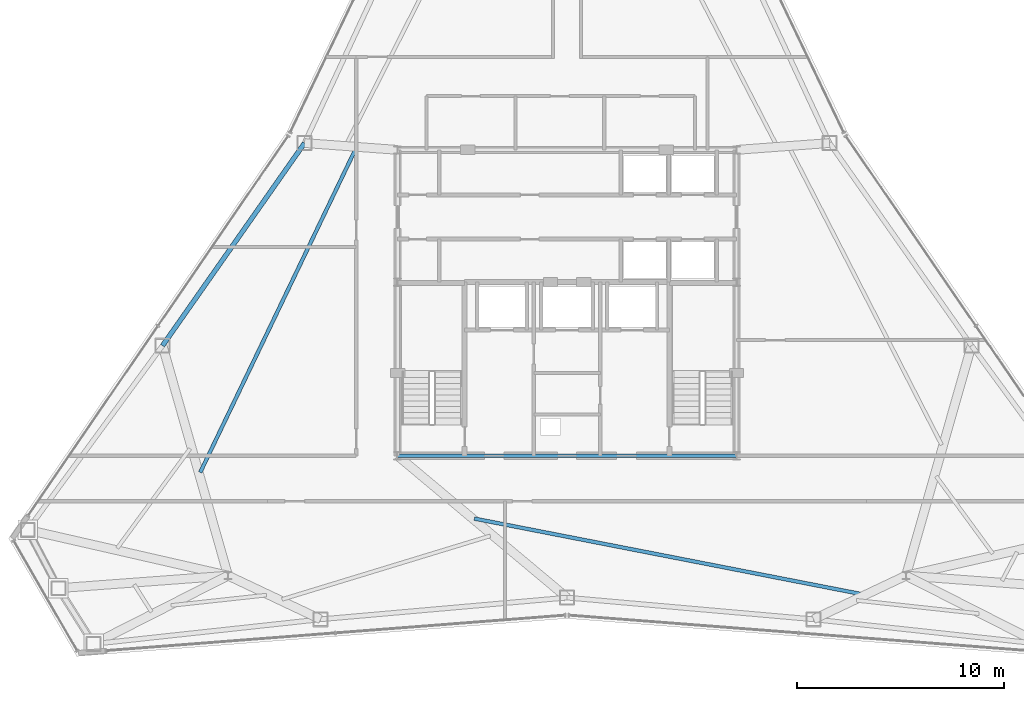
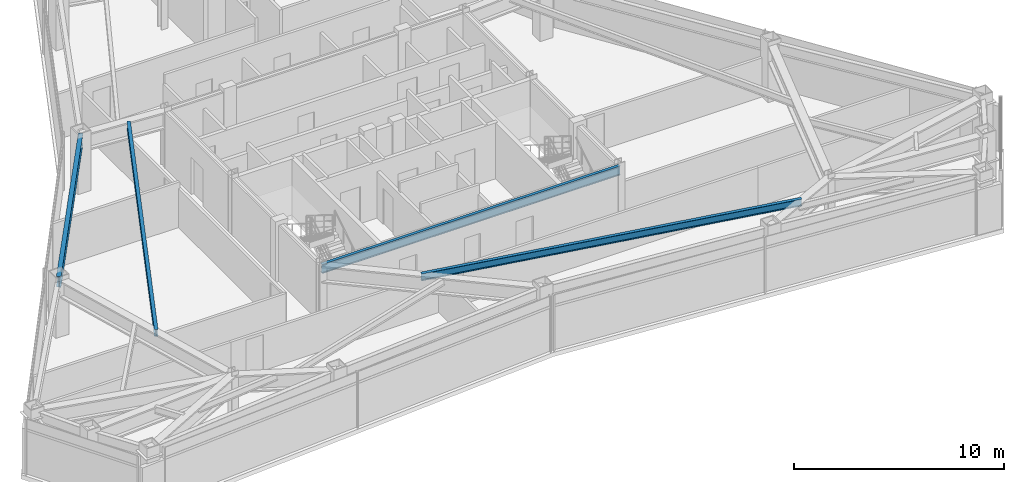
# One storey, part 4 of 12: 4 beams.
"""IFC4 building model written with IfcOpenShell, lengths in metres."""

from ifc_helpers import new_model, si_unit, direction, frame, origin, origin_2d, place, context, subcontext, project, spatial, i_section, extrude, material, material_profile, profile_set, type_object, element, save


model = new_model("IFC4")

# Units and contexts
model_context = context("Model", 3, precision=1e-05, world=origin(), true_north=direction((0.0, 1.0)))
body_context = subcontext(model_context, "Body", "Model", "MODEL_VIEW")
ifc_project = project(units=[si_unit("LENGTHUNIT", "METRE"), si_unit("AREAUNIT", "SQUARE_METRE"), si_unit("VOLUMEUNIT", "CUBIC_METRE"), si_unit("PLANEANGLEUNIT", "RADIAN"), si_unit("MASSUNIT", "GRAM", prefix="KILO")], contexts=[model_context])

# Site, building, storey
site_placement = place(None, origin())
site = spatial("IfcSite", under=ifc_project, at=site_placement, CompositionType="ELEMENT")
building_placement = place(site_placement, origin())
building = spatial("IfcBuilding", under=site, at=building_placement, Name="Varakhsha Concourse Tower", CompositionType="ELEMENT")
storey_placement = place(building_placement, frame((0.0, 0.0, 222.39990234375)))
storey = spatial("IfcBuildingStorey", under=building, at=storey_placement, Name="L63", CompositionType="ELEMENT", Elevation=222.39990234375)

# Beams
ifc_material = material(Name="Structural Steel ASTM A992 Grade 50", Category="steel")
ifc_material_profile_1 = material_profile(ifc_material, i_section(OverallWidth=0.177978515625, OverallDepth=0.406982421875, WebThickness=0.008056640625, FlangeThickness=0.012939453125, at=origin_2d()), Name="W16X40")
ifc_profile_set_1 = profile_set([ifc_material_profile_1], Name="Structural Steel ASTM A992 Grade 50")
beam_type_1 = type_object("IfcBeamType", Name="BM-JST-W16X40", PredefinedType="JOIST", material=ifc_profile_set_1)
beam_1_placement = place(storey_placement, frame((29.772705078125, 31.246826171875, 3.046630859375), z_axis=(-0.433099415659, -0.901346157786, 0.0), x_axis=(0.901346157786, -0.433099415659, 0.0)))
element("IfcBeam", 1, at=beam_1_placement, inside=storey, type_object=beam_type_1, Name="BM-TJST-L63-05", PredefinedType="JOIST", context=body_context, shape_type="SweptSolid", body=[
    extrude(i_section(OverallWidth=0.177978515625, OverallDepth=0.406982421875, WebThickness=0.008056640625, FlangeThickness=0.012939453125, at=origin_2d()), origin(), (0.0, 0.0, 1.0), 17.365478515625),
])
beam_2_placement = place(storey_placement, frame((35.51611328125, 13.35888671875, 3.046630859375), z_axis=(0.981510211995, -0.19140977966, 0.0), x_axis=(0.19140977966, 0.981510211995, 0.0)))
element("IfcBeam", 2, at=beam_2_placement, inside=storey, type_object=beam_type_1, Name="BM-TJST-L63-11", PredefinedType="JOIST", context=body_context, shape_type="SweptSolid", body=[
    extrude(i_section(OverallWidth=0.177978515625, OverallDepth=0.406982421875, WebThickness=0.008056640625, FlangeThickness=0.012939453125, at=origin_2d()), origin(), (0.0, 0.0, 1.0), 19.162841796875),
])
ifc_material_profile_2 = material_profile(ifc_material, i_section(OverallWidth=0.1669921875, OverallDepth=0.534912109375, WebThickness=0.010009765625, FlangeThickness=0.01708984375, at=origin_2d()), Name="W21X57")
ifc_profile_set_2 = profile_set([ifc_material_profile_2], Name="Structural Steel ASTM A992 Grade 50")
beam_type_2 = type_object("IfcBeamType", Name="BM-RAD-W21X57", PredefinedType="BEAM", material=ifc_profile_set_2)
beam_3_placement = place(storey_placement, frame((31.800048828125, 16.39990234375, 2.982666015625), z_axis=(1.0, 0.0, 0.0), x_axis=(0.0, 1.0, 0.0)))
element("IfcBeam", 3, at=beam_3_placement, inside=storey, type_object=beam_type_2, Name="BM-TCORE-L63-CS", PredefinedType="BEAM", context=body_context, shape_type="SweptSolid", body=[
    extrude(i_section(OverallWidth=0.1669921875, OverallDepth=0.534912109375, WebThickness=0.010009765625, FlangeThickness=0.01708984375, at=origin_2d()), origin(), (0.0, 0.0, 1.0), 16.39990234375),
])
ifc_material_profile_3 = material_profile(ifc_material, i_section(OverallWidth=0.22900390625, OverallDepth=0.612060546875, WebThickness=0.011962890625, FlangeThickness=0.02001953125, at=origin_2d()), Name="W24X84")
ifc_profile_set_3 = profile_set([ifc_material_profile_3], Name="Structural Steel ASTM A992 Grade 50")
beam_type_3 = type_object("IfcBeamType", Name="BM-SPAN-W24X84", PredefinedType="SPANDREL", material=ifc_profile_set_3)
beam_4_placement = place(storey_placement, frame((27.301025390625, 31.53173828125, 2.944091796875), z_axis=(-0.574025939062, -0.818837115233, 0.0), x_axis=(0.818837115233, -0.574025939062, 0.0)))
element("IfcBeam", 4, at=beam_4_placement, inside=storey, type_object=beam_type_3, Name="BM-SPAN-L63-05", PredefinedType="SPANDREL", context=body_context, shape_type="SweptSolid", body=[
    extrude(i_section(OverallWidth=0.22900390625, OverallDepth=0.612060546875, WebThickness=0.011962890625, FlangeThickness=0.02001953125, at=origin_2d()), origin(), (0.0, 0.0, 1.0), 11.97509765625),
])

save(model, "model.ifc")
